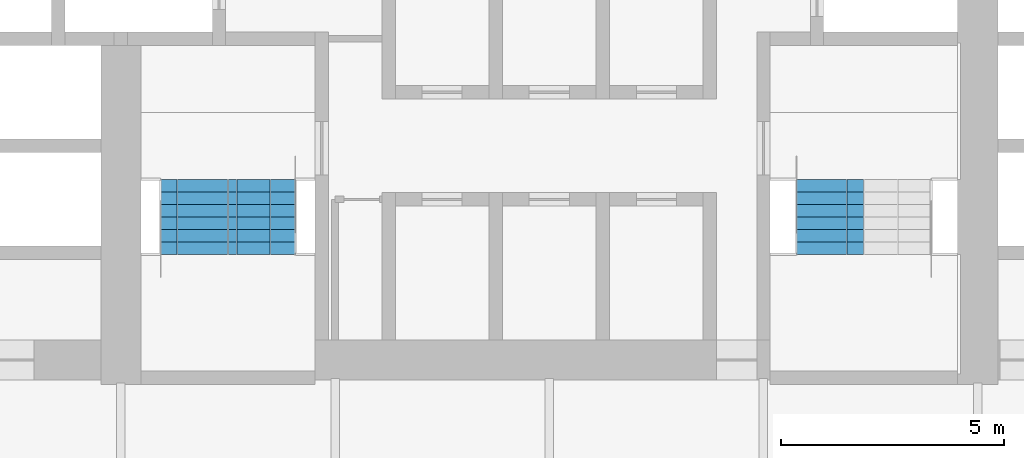
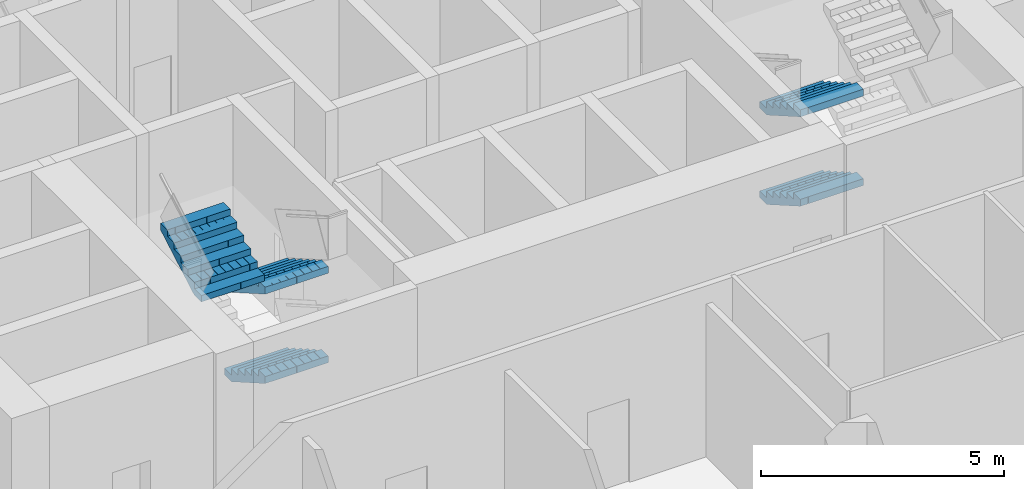
# One storey, part 18 of 22: 5 stair flights, 2 elements without a shape of their own.
"""IFC4 building model written with IfcOpenShell, lengths in metres."""

from ifc_helpers import new_model, si_unit, direction, frame, origin, place, context, subcontext, project, spatial, polyline, outline, extrude, material, type_object, element, aggregate, save


model = new_model("IFC4")

# Units and contexts
model_context = context("Model", 3, precision=1e-05, world=origin(), true_north=direction((0.0, 1.0)))
body_context = subcontext(model_context, "Body", "Model", "MODEL_VIEW")
ifc_project = project(units=[si_unit("LENGTHUNIT", "METRE"), si_unit("AREAUNIT", "SQUARE_METRE"), si_unit("VOLUMEUNIT", "CUBIC_METRE"), si_unit("PLANEANGLEUNIT", "RADIAN"), si_unit("MASSUNIT", "GRAM", prefix="KILO")], contexts=[model_context])

# Site, building, storey
site_placement = place(None, origin())
site = spatial("IfcSite", under=ifc_project, at=site_placement, CompositionType="ELEMENT")
building_placement = place(site_placement, origin())
building = spatial("IfcBuilding", under=site, at=building_placement, Name="Kolab Exchange Tower", CompositionType="ELEMENT")
storey_placement = place(building_placement, frame((0.0, 0.0, 82.39990234375)))
storey = spatial("IfcBuildingStorey", under=building, at=storey_placement, Name="L15", CompositionType="ELEMENT", Elevation=82.39990234375)

# Stair, stair flights
ifc_material = material(Name="Concrete C50/60", Category="concrete")
stair_type_1 = type_object("IfcStairType", Name="STAIR ST3 RISER 160.7", PredefinedType="DOUBLE_RETURN_STAIR", material=ifc_material)
stair_1_placement = place(storey_placement, origin())
stair_1 = element("IfcStair", 1, at=stair_1_placement, inside=storey, type_object=stair_type_1, Name="Stair 3", PredefinedType="DOUBLE_RETURN_STAIR")
stair_flight_type = type_object("IfcStairFlightType", Name="STAIR FLIGHT 1500 RISER 160.7", PredefinedType="STRAIGHT", material=ifc_material)
stair_flight_1_placement = place(storey_placement, frame((-6.43994140625, -5.550048828125, 0.0), z_axis=(0.0, 0.0, 1.0), x_axis=(0.0, -1.0, 0.0)))
stair_flight_1 = element("IfcStairFlight", 2, at=stair_flight_1_placement, type_object=stair_flight_type, Name="ST3 flight 1", NumberOfRisers=7, NumberOfTreads=6, PredefinedType="STRAIGHT", RiserHeight=0.160714286, TreadLength=0.28, context=body_context, shape_type="SweptSolid", body=[
    extrude(outline(polyline([(0.0, 0.0), (0.0, 0.16064453125), (0.280029296875, 0.16064453125), (0.280029296875, 0.321533203125), (0.56005859375, 0.321533203125), (0.56005859375, 0.482177734375), (0.840087890625, 0.482177734375), (0.840087890625, 0.642822265625), (1.1201171875, 0.642822265625), (1.1201171875, 0.803466796875), (1.39990234375, 0.803466796875), (1.39990234375, 0.96435546875), (1.679931640625, 0.96435546875), (1.679931640625, 1.125), (1.679931640625, 0.79150390625), (0.301025390625, 0.0), (0.0, 0.0)])), frame((0.0, 0.75, 0.0), z_axis=(0.0, -1.0, 0.0), x_axis=(1.0, 0.0, 0.0)), (0.0, 0.0, 1.0), 0.185791015625),
    extrude(outline(polyline([(0.0, 0.0), (0.0, 0.16064453125), (0.280029296875, 0.16064453125), (0.280029296875, 0.321533203125), (0.56005859375, 0.321533203125), (0.56005859375, 0.482177734375), (0.840087890625, 0.482177734375), (0.840087890625, 0.642822265625), (1.1201171875, 0.642822265625), (1.1201171875, 0.803466796875), (1.39990234375, 0.803466796875), (1.39990234375, 0.96435546875), (1.679931640625, 0.96435546875), (1.679931640625, 1.125), (1.679931640625, 0.79150390625), (0.301025390625, 0.0), (0.0, 0.0)])), frame((0.0, 0.562255859375, 0.0), z_axis=(0.0, -1.0, 0.0), x_axis=(1.0, 0.0, 0.0)), (0.0, 0.0, 1.0), 0.185791015625),
    extrude(outline(polyline([(0.0, 0.0), (0.0, 0.16064453125), (0.280029296875, 0.16064453125), (0.280029296875, 0.321533203125), (0.56005859375, 0.321533203125), (0.56005859375, 0.482177734375), (0.840087890625, 0.482177734375), (0.840087890625, 0.642822265625), (1.1201171875, 0.642822265625), (1.1201171875, 0.803466796875), (1.39990234375, 0.803466796875), (1.39990234375, 0.96435546875), (1.679931640625, 0.96435546875), (1.679931640625, 1.125), (1.679931640625, 0.79150390625), (0.301025390625, 0.0), (0.0, 0.0)])), frame((0.0, 0.37451171875, 0.0), z_axis=(0.0, -1.0, 0.0), x_axis=(1.0, 0.0, 0.0)), (0.0, 0.0, 1.0), 0.185791015625),
    extrude(outline(polyline([(0.0, 0.0), (0.0, 0.16064453125), (0.280029296875, 0.16064453125), (0.280029296875, 0.321533203125), (0.56005859375, 0.321533203125), (0.56005859375, 0.482177734375), (0.840087890625, 0.482177734375), (0.840087890625, 0.642822265625), (1.1201171875, 0.642822265625), (1.1201171875, 0.803466796875), (1.39990234375, 0.803466796875), (1.39990234375, 0.96435546875), (1.679931640625, 0.96435546875), (1.679931640625, 1.125), (1.679931640625, 0.79150390625), (0.301025390625, 0.0), (0.0, 0.0)])), frame((0.0, 0.186767578125, 0.0), z_axis=(0.0, -1.0, 0.0), x_axis=(1.0, 0.0, 0.0)), (0.0, 0.0, 1.0), 0.185791015625),
    extrude(outline(polyline([(0.0, 0.0), (0.0, 0.16064453125), (0.280029296875, 0.16064453125), (0.280029296875, 0.321533203125), (0.56005859375, 0.321533203125), (0.56005859375, 0.482177734375), (0.840087890625, 0.482177734375), (0.840087890625, 0.642822265625), (1.1201171875, 0.642822265625), (1.1201171875, 0.803466796875), (1.39990234375, 0.803466796875), (1.39990234375, 0.96435546875), (1.679931640625, 0.96435546875), (1.679931640625, 1.125), (1.679931640625, 0.79150390625), (0.301025390625, 0.0), (0.0, 0.0)])), frame((0.0, -0.0009765625, 0.0), z_axis=(0.0, -1.0, 0.0), x_axis=(1.0, 0.0, 0.0)), (0.0, 0.0, 1.0), 0.185791015625),
    extrude(outline(polyline([(0.0, 0.0), (0.0, 0.16064453125), (0.280029296875, 0.16064453125), (0.280029296875, 0.321533203125), (0.56005859375, 0.321533203125), (0.56005859375, 0.482177734375), (0.840087890625, 0.482177734375), (0.840087890625, 0.642822265625), (1.1201171875, 0.642822265625), (1.1201171875, 0.803466796875), (1.39990234375, 0.803466796875), (1.39990234375, 0.96435546875), (1.679931640625, 0.96435546875), (1.679931640625, 1.125), (1.679931640625, 0.79150390625), (0.301025390625, 0.0), (0.0, 0.0)])), frame((0.0, -0.188720703125, 0.0), z_axis=(0.0, -1.0, 0.0), x_axis=(1.0, 0.0, 0.0)), (0.0, 0.0, 1.0), 0.185791015625),
    extrude(outline(polyline([(0.0, 0.0), (0.0, 0.16064453125), (0.280029296875, 0.16064453125), (0.280029296875, 0.321533203125), (0.56005859375, 0.321533203125), (0.56005859375, 0.482177734375), (0.840087890625, 0.482177734375), (0.840087890625, 0.642822265625), (1.1201171875, 0.642822265625), (1.1201171875, 0.803466796875), (1.39990234375, 0.803466796875), (1.39990234375, 0.96435546875), (1.679931640625, 0.96435546875), (1.679931640625, 1.125), (1.679931640625, 0.79150390625), (0.301025390625, 0.0), (0.0, 0.0)])), frame((0.0, -0.37646484375, 0.0), z_axis=(0.0, -1.0, 0.0), x_axis=(1.0, 0.0, 0.0)), (0.0, 0.0, 1.0), 0.185791015625),
    extrude(outline(polyline([(0.0, 0.0), (0.0, 0.16064453125), (0.280029296875, 0.16064453125), (0.280029296875, 0.321533203125), (0.56005859375, 0.321533203125), (0.56005859375, 0.482177734375), (0.840087890625, 0.482177734375), (0.840087890625, 0.642822265625), (1.1201171875, 0.642822265625), (1.1201171875, 0.803466796875), (1.39990234375, 0.803466796875), (1.39990234375, 0.96435546875), (1.679931640625, 0.96435546875), (1.679931640625, 1.125), (1.679931640625, 0.79150390625), (0.301025390625, 0.0), (0.0, 0.0)])), frame((0.0, -0.564208984375, 0.0), z_axis=(0.0, -1.0, 0.0), x_axis=(1.0, 0.0, 0.0)), (0.0, 0.0, 1.0), 0.185791015625),
])
stair_flight_2_placement = place(storey_placement, frame((-6.43994140625, -5.550048828125, 2.25), z_axis=(0.0, 0.0, 1.0), x_axis=(0.0, -1.0, 0.0)))
stair_flight_2 = element("IfcStairFlight", 3, at=stair_flight_2_placement, type_object=stair_flight_type, Name="ST3 flight 3", NumberOfRisers=7, NumberOfTreads=6, PredefinedType="STRAIGHT", RiserHeight=0.160714286, TreadLength=0.28, context=body_context, shape_type="SweptSolid", body=[
    extrude(outline(polyline([(0.0, 0.0), (0.0, 0.16064453125), (0.280029296875, 0.16064453125), (0.280029296875, 0.321533203125), (0.56005859375, 0.321533203125), (0.56005859375, 0.482177734375), (0.840087890625, 0.482177734375), (0.840087890625, 0.642822265625), (1.1201171875, 0.642822265625), (1.1201171875, 0.803466796875), (1.39990234375, 0.803466796875), (1.39990234375, 0.96435546875), (1.679931640625, 0.96435546875), (1.679931640625, 1.125), (1.679931640625, 0.79150390625), (0.301025390625, 0.0), (0.0, 0.0)])), frame((0.0, 0.75, 0.0), z_axis=(0.0, -1.0, 0.0), x_axis=(1.0, 0.0, 0.0)), (0.0, 0.0, 1.0), 0.185791015625),
    extrude(outline(polyline([(0.0, 0.0), (0.0, 0.16064453125), (0.280029296875, 0.16064453125), (0.280029296875, 0.321533203125), (0.56005859375, 0.321533203125), (0.56005859375, 0.482177734375), (0.840087890625, 0.482177734375), (0.840087890625, 0.642822265625), (1.1201171875, 0.642822265625), (1.1201171875, 0.803466796875), (1.39990234375, 0.803466796875), (1.39990234375, 0.96435546875), (1.679931640625, 0.96435546875), (1.679931640625, 1.125), (1.679931640625, 0.79150390625), (0.301025390625, 0.0), (0.0, 0.0)])), frame((0.0, 0.562255859375, 0.0), z_axis=(0.0, -1.0, 0.0), x_axis=(1.0, 0.0, 0.0)), (0.0, 0.0, 1.0), 0.185791015625),
    extrude(outline(polyline([(0.0, 0.0), (0.0, 0.16064453125), (0.280029296875, 0.16064453125), (0.280029296875, 0.321533203125), (0.56005859375, 0.321533203125), (0.56005859375, 0.482177734375), (0.840087890625, 0.482177734375), (0.840087890625, 0.642822265625), (1.1201171875, 0.642822265625), (1.1201171875, 0.803466796875), (1.39990234375, 0.803466796875), (1.39990234375, 0.96435546875), (1.679931640625, 0.96435546875), (1.679931640625, 1.125), (1.679931640625, 0.79150390625), (0.301025390625, 0.0), (0.0, 0.0)])), frame((0.0, 0.37451171875, 0.0), z_axis=(0.0, -1.0, 0.0), x_axis=(1.0, 0.0, 0.0)), (0.0, 0.0, 1.0), 0.185791015625),
    extrude(outline(polyline([(0.0, 0.0), (0.0, 0.16064453125), (0.280029296875, 0.16064453125), (0.280029296875, 0.321533203125), (0.56005859375, 0.321533203125), (0.56005859375, 0.482177734375), (0.840087890625, 0.482177734375), (0.840087890625, 0.642822265625), (1.1201171875, 0.642822265625), (1.1201171875, 0.803466796875), (1.39990234375, 0.803466796875), (1.39990234375, 0.96435546875), (1.679931640625, 0.96435546875), (1.679931640625, 1.125), (1.679931640625, 0.79150390625), (0.301025390625, 0.0), (0.0, 0.0)])), frame((0.0, 0.186767578125, 0.0), z_axis=(0.0, -1.0, 0.0), x_axis=(1.0, 0.0, 0.0)), (0.0, 0.0, 1.0), 0.185791015625),
    extrude(outline(polyline([(0.0, 0.0), (0.0, 0.16064453125), (0.280029296875, 0.16064453125), (0.280029296875, 0.321533203125), (0.56005859375, 0.321533203125), (0.56005859375, 0.482177734375), (0.840087890625, 0.482177734375), (0.840087890625, 0.642822265625), (1.1201171875, 0.642822265625), (1.1201171875, 0.803466796875), (1.39990234375, 0.803466796875), (1.39990234375, 0.96435546875), (1.679931640625, 0.96435546875), (1.679931640625, 1.125), (1.679931640625, 0.79150390625), (0.301025390625, 0.0), (0.0, 0.0)])), frame((0.0, -0.0009765625, 0.0), z_axis=(0.0, -1.0, 0.0), x_axis=(1.0, 0.0, 0.0)), (0.0, 0.0, 1.0), 0.185791015625),
    extrude(outline(polyline([(0.0, 0.0), (0.0, 0.16064453125), (0.280029296875, 0.16064453125), (0.280029296875, 0.321533203125), (0.56005859375, 0.321533203125), (0.56005859375, 0.482177734375), (0.840087890625, 0.482177734375), (0.840087890625, 0.642822265625), (1.1201171875, 0.642822265625), (1.1201171875, 0.803466796875), (1.39990234375, 0.803466796875), (1.39990234375, 0.96435546875), (1.679931640625, 0.96435546875), (1.679931640625, 1.125), (1.679931640625, 0.79150390625), (0.301025390625, 0.0), (0.0, 0.0)])), frame((0.0, -0.188720703125, 0.0), z_axis=(0.0, -1.0, 0.0), x_axis=(1.0, 0.0, 0.0)), (0.0, 0.0, 1.0), 0.185791015625),
    extrude(outline(polyline([(0.0, 0.0), (0.0, 0.16064453125), (0.280029296875, 0.16064453125), (0.280029296875, 0.321533203125), (0.56005859375, 0.321533203125), (0.56005859375, 0.482177734375), (0.840087890625, 0.482177734375), (0.840087890625, 0.642822265625), (1.1201171875, 0.642822265625), (1.1201171875, 0.803466796875), (1.39990234375, 0.803466796875), (1.39990234375, 0.96435546875), (1.679931640625, 0.96435546875), (1.679931640625, 1.125), (1.679931640625, 0.79150390625), (0.301025390625, 0.0), (0.0, 0.0)])), frame((0.0, -0.37646484375, 0.0), z_axis=(0.0, -1.0, 0.0), x_axis=(1.0, 0.0, 0.0)), (0.0, 0.0, 1.0), 0.185791015625),
    extrude(outline(polyline([(0.0, 0.0), (0.0, 0.16064453125), (0.280029296875, 0.16064453125), (0.280029296875, 0.321533203125), (0.56005859375, 0.321533203125), (0.56005859375, 0.482177734375), (0.840087890625, 0.482177734375), (0.840087890625, 0.642822265625), (1.1201171875, 0.642822265625), (1.1201171875, 0.803466796875), (1.39990234375, 0.803466796875), (1.39990234375, 0.96435546875), (1.679931640625, 0.96435546875), (1.679931640625, 1.125), (1.679931640625, 0.79150390625), (0.301025390625, 0.0), (0.0, 0.0)])), frame((0.0, -0.564208984375, 0.0), z_axis=(0.0, -1.0, 0.0), x_axis=(1.0, 0.0, 0.0)), (0.0, 0.0, 1.0), 0.185791015625),
])
stair_flight_3_placement = place(storey_placement, frame((-7.9599609375, -7.22998046875, 3.375), z_axis=(0.0, 0.0, 1.0), x_axis=(0.0, 1.0, 0.0)))
stair_flight_3 = element("IfcStairFlight", 4, at=stair_flight_3_placement, type_object=stair_flight_type, Name="ST3 flight 4", NumberOfRisers=7, NumberOfTreads=6, PredefinedType="STRAIGHT", RiserHeight=0.160714286, TreadLength=0.28, context=body_context, shape_type="SweptSolid", body=[
    extrude(outline(polyline([(0.0, 0.0), (0.0, 0.16064453125), (0.280029296875, 0.16064453125), (0.280029296875, 0.321533203125), (0.56005859375, 0.321533203125), (0.56005859375, 0.482177734375), (0.840087890625, 0.482177734375), (0.840087890625, 0.642822265625), (1.1201171875, 0.642822265625), (1.1201171875, 0.803466796875), (1.39990234375, 0.803466796875), (1.39990234375, 0.96435546875), (1.679931640625, 0.96435546875), (1.679931640625, 1.125), (1.679931640625, 0.79150390625), (0.301025390625, 0.0), (0.0, 0.0)])), frame((0.0, 0.75, 0.0), z_axis=(0.0, -1.0, 0.0), x_axis=(1.0, 0.0, 0.0)), (0.0, 0.0, 1.0), 0.185791015625),
    extrude(outline(polyline([(0.0, 0.0), (0.0, 0.16064453125), (0.280029296875, 0.16064453125), (0.280029296875, 0.321533203125), (0.56005859375, 0.321533203125), (0.56005859375, 0.482177734375), (0.840087890625, 0.482177734375), (0.840087890625, 0.642822265625), (1.1201171875, 0.642822265625), (1.1201171875, 0.803466796875), (1.39990234375, 0.803466796875), (1.39990234375, 0.96435546875), (1.679931640625, 0.96435546875), (1.679931640625, 1.125), (1.679931640625, 0.79150390625), (0.301025390625, 0.0), (0.0, 0.0)])), frame((0.0, 0.562255859375, 0.0), z_axis=(0.0, -1.0, 0.0), x_axis=(1.0, 0.0, 0.0)), (0.0, 0.0, 1.0), 0.185791015625),
    extrude(outline(polyline([(0.0, 0.0), (0.0, 0.16064453125), (0.280029296875, 0.16064453125), (0.280029296875, 0.321533203125), (0.56005859375, 0.321533203125), (0.56005859375, 0.482177734375), (0.840087890625, 0.482177734375), (0.840087890625, 0.642822265625), (1.1201171875, 0.642822265625), (1.1201171875, 0.803466796875), (1.39990234375, 0.803466796875), (1.39990234375, 0.96435546875), (1.679931640625, 0.96435546875), (1.679931640625, 1.125), (1.679931640625, 0.79150390625), (0.301025390625, 0.0), (0.0, 0.0)])), frame((0.0, 0.37451171875, 0.0), z_axis=(0.0, -1.0, 0.0), x_axis=(1.0, 0.0, 0.0)), (0.0, 0.0, 1.0), 0.185791015625),
    extrude(outline(polyline([(0.0, 0.0), (0.0, 0.16064453125), (0.280029296875, 0.16064453125), (0.280029296875, 0.321533203125), (0.56005859375, 0.321533203125), (0.56005859375, 0.482177734375), (0.840087890625, 0.482177734375), (0.840087890625, 0.642822265625), (1.1201171875, 0.642822265625), (1.1201171875, 0.803466796875), (1.39990234375, 0.803466796875), (1.39990234375, 0.96435546875), (1.679931640625, 0.96435546875), (1.679931640625, 1.125), (1.679931640625, 0.79150390625), (0.301025390625, 0.0), (0.0, 0.0)])), frame((0.0, 0.186767578125, 0.0), z_axis=(0.0, -1.0, 0.0), x_axis=(1.0, 0.0, 0.0)), (0.0, 0.0, 1.0), 0.185791015625),
    extrude(outline(polyline([(0.0, 0.0), (0.0, 0.16064453125), (0.280029296875, 0.16064453125), (0.280029296875, 0.321533203125), (0.56005859375, 0.321533203125), (0.56005859375, 0.482177734375), (0.840087890625, 0.482177734375), (0.840087890625, 0.642822265625), (1.1201171875, 0.642822265625), (1.1201171875, 0.803466796875), (1.39990234375, 0.803466796875), (1.39990234375, 0.96435546875), (1.679931640625, 0.96435546875), (1.679931640625, 1.125), (1.679931640625, 0.79150390625), (0.301025390625, 0.0), (0.0, 0.0)])), frame((0.0, -0.0009765625, 0.0), z_axis=(0.0, -1.0, 0.0), x_axis=(1.0, 0.0, 0.0)), (0.0, 0.0, 1.0), 0.185791015625),
    extrude(outline(polyline([(0.0, 0.0), (0.0, 0.16064453125), (0.280029296875, 0.16064453125), (0.280029296875, 0.321533203125), (0.56005859375, 0.321533203125), (0.56005859375, 0.482177734375), (0.840087890625, 0.482177734375), (0.840087890625, 0.642822265625), (1.1201171875, 0.642822265625), (1.1201171875, 0.803466796875), (1.39990234375, 0.803466796875), (1.39990234375, 0.96435546875), (1.679931640625, 0.96435546875), (1.679931640625, 1.125), (1.679931640625, 0.79150390625), (0.301025390625, 0.0), (0.0, 0.0)])), frame((0.0, -0.188720703125, 0.0), z_axis=(0.0, -1.0, 0.0), x_axis=(1.0, 0.0, 0.0)), (0.0, 0.0, 1.0), 0.185791015625),
    extrude(outline(polyline([(0.0, 0.0), (0.0, 0.16064453125), (0.280029296875, 0.16064453125), (0.280029296875, 0.321533203125), (0.56005859375, 0.321533203125), (0.56005859375, 0.482177734375), (0.840087890625, 0.482177734375), (0.840087890625, 0.642822265625), (1.1201171875, 0.642822265625), (1.1201171875, 0.803466796875), (1.39990234375, 0.803466796875), (1.39990234375, 0.96435546875), (1.679931640625, 0.96435546875), (1.679931640625, 1.125), (1.679931640625, 0.79150390625), (0.301025390625, 0.0), (0.0, 0.0)])), frame((0.0, -0.37646484375, 0.0), z_axis=(0.0, -1.0, 0.0), x_axis=(1.0, 0.0, 0.0)), (0.0, 0.0, 1.0), 0.185791015625),
    extrude(outline(polyline([(0.0, 0.0), (0.0, 0.16064453125), (0.280029296875, 0.16064453125), (0.280029296875, 0.321533203125), (0.56005859375, 0.321533203125), (0.56005859375, 0.482177734375), (0.840087890625, 0.482177734375), (0.840087890625, 0.642822265625), (1.1201171875, 0.642822265625), (1.1201171875, 0.803466796875), (1.39990234375, 0.803466796875), (1.39990234375, 0.96435546875), (1.679931640625, 0.96435546875), (1.679931640625, 1.125), (1.679931640625, 0.79150390625), (0.301025390625, 0.0), (0.0, 0.0)])), frame((0.0, -0.564208984375, 0.0), z_axis=(0.0, -1.0, 0.0), x_axis=(1.0, 0.0, 0.0)), (0.0, 0.0, 1.0), 0.185791015625),
])
aggregate(stair_1, [stair_flight_1, stair_flight_2, stair_flight_3])

stair_type_2 = type_object("IfcStairType", Name="STAIR ST2 RISER 160.7", PredefinedType="DOUBLE_RETURN_STAIR", material=ifc_material)
stair_2_placement = place(storey_placement, origin())
stair_2 = element("IfcStair", 5, at=stair_2_placement, inside=storey, type_object=stair_type_2, Name="Stair 2", PredefinedType="DOUBLE_RETURN_STAIR")
stair_flight_4_placement = place(storey_placement, frame((6.2900390625, -5.550048828125, 0.0), z_axis=(0.0, 0.0, 1.0), x_axis=(0.0, -1.0, 0.0)))
stair_flight_4 = element("IfcStairFlight", 6, at=stair_flight_4_placement, type_object=stair_flight_type, Name="ST2 flight 1", NumberOfRisers=7, NumberOfTreads=6, PredefinedType="STRAIGHT", RiserHeight=0.160714286, TreadLength=0.28, context=body_context, shape_type="SweptSolid", body=[
    extrude(outline(polyline([(0.0, 0.0), (0.0, 0.16064453125), (0.280029296875, 0.16064453125), (0.280029296875, 0.321533203125), (0.56005859375, 0.321533203125), (0.56005859375, 0.482177734375), (0.840087890625, 0.482177734375), (0.840087890625, 0.642822265625), (1.1201171875, 0.642822265625), (1.1201171875, 0.803466796875), (1.39990234375, 0.803466796875), (1.39990234375, 0.96435546875), (1.679931640625, 0.96435546875), (1.679931640625, 1.125), (1.679931640625, 0.79150390625), (0.301025390625, 0.0), (0.0, 0.0)])), frame((0.0, 0.75, 0.0), z_axis=(0.0, -1.0, 0.0), x_axis=(1.0, 0.0, 0.0)), (0.0, 0.0, 1.0), 0.185791015625),
    extrude(outline(polyline([(0.0, 0.0), (0.0, 0.16064453125), (0.280029296875, 0.16064453125), (0.280029296875, 0.321533203125), (0.56005859375, 0.321533203125), (0.56005859375, 0.482177734375), (0.840087890625, 0.482177734375), (0.840087890625, 0.642822265625), (1.1201171875, 0.642822265625), (1.1201171875, 0.803466796875), (1.39990234375, 0.803466796875), (1.39990234375, 0.96435546875), (1.679931640625, 0.96435546875), (1.679931640625, 1.125), (1.679931640625, 0.79150390625), (0.301025390625, 0.0), (0.0, 0.0)])), frame((0.0, 0.562255859375, 0.0), z_axis=(0.0, -1.0, 0.0), x_axis=(1.0, 0.0, 0.0)), (0.0, 0.0, 1.0), 0.185791015625),
    extrude(outline(polyline([(0.0, 0.0), (0.0, 0.16064453125), (0.280029296875, 0.16064453125), (0.280029296875, 0.321533203125), (0.56005859375, 0.321533203125), (0.56005859375, 0.482177734375), (0.840087890625, 0.482177734375), (0.840087890625, 0.642822265625), (1.1201171875, 0.642822265625), (1.1201171875, 0.803466796875), (1.39990234375, 0.803466796875), (1.39990234375, 0.96435546875), (1.679931640625, 0.96435546875), (1.679931640625, 1.125), (1.679931640625, 0.79150390625), (0.301025390625, 0.0), (0.0, 0.0)])), frame((0.0, 0.37451171875, 0.0), z_axis=(0.0, -1.0, 0.0), x_axis=(1.0, 0.0, 0.0)), (0.0, 0.0, 1.0), 0.185791015625),
    extrude(outline(polyline([(0.0, 0.0), (0.0, 0.16064453125), (0.280029296875, 0.16064453125), (0.280029296875, 0.321533203125), (0.56005859375, 0.321533203125), (0.56005859375, 0.482177734375), (0.840087890625, 0.482177734375), (0.840087890625, 0.642822265625), (1.1201171875, 0.642822265625), (1.1201171875, 0.803466796875), (1.39990234375, 0.803466796875), (1.39990234375, 0.96435546875), (1.679931640625, 0.96435546875), (1.679931640625, 1.125), (1.679931640625, 0.79150390625), (0.301025390625, 0.0), (0.0, 0.0)])), frame((0.0, 0.186767578125, 0.0), z_axis=(0.0, -1.0, 0.0), x_axis=(1.0, 0.0, 0.0)), (0.0, 0.0, 1.0), 0.185791015625),
    extrude(outline(polyline([(0.0, 0.0), (0.0, 0.16064453125), (0.280029296875, 0.16064453125), (0.280029296875, 0.321533203125), (0.56005859375, 0.321533203125), (0.56005859375, 0.482177734375), (0.840087890625, 0.482177734375), (0.840087890625, 0.642822265625), (1.1201171875, 0.642822265625), (1.1201171875, 0.803466796875), (1.39990234375, 0.803466796875), (1.39990234375, 0.96435546875), (1.679931640625, 0.96435546875), (1.679931640625, 1.125), (1.679931640625, 0.79150390625), (0.301025390625, 0.0), (0.0, 0.0)])), frame((0.0, -0.0009765625, 0.0), z_axis=(0.0, -1.0, 0.0), x_axis=(1.0, 0.0, 0.0)), (0.0, 0.0, 1.0), 0.185791015625),
    extrude(outline(polyline([(0.0, 0.0), (0.0, 0.16064453125), (0.280029296875, 0.16064453125), (0.280029296875, 0.321533203125), (0.56005859375, 0.321533203125), (0.56005859375, 0.482177734375), (0.840087890625, 0.482177734375), (0.840087890625, 0.642822265625), (1.1201171875, 0.642822265625), (1.1201171875, 0.803466796875), (1.39990234375, 0.803466796875), (1.39990234375, 0.96435546875), (1.679931640625, 0.96435546875), (1.679931640625, 1.125), (1.679931640625, 0.79150390625), (0.301025390625, 0.0), (0.0, 0.0)])), frame((0.0, -0.188720703125, 0.0), z_axis=(0.0, -1.0, 0.0), x_axis=(1.0, 0.0, 0.0)), (0.0, 0.0, 1.0), 0.185791015625),
    extrude(outline(polyline([(0.0, 0.0), (0.0, 0.16064453125), (0.280029296875, 0.16064453125), (0.280029296875, 0.321533203125), (0.56005859375, 0.321533203125), (0.56005859375, 0.482177734375), (0.840087890625, 0.482177734375), (0.840087890625, 0.642822265625), (1.1201171875, 0.642822265625), (1.1201171875, 0.803466796875), (1.39990234375, 0.803466796875), (1.39990234375, 0.96435546875), (1.679931640625, 0.96435546875), (1.679931640625, 1.125), (1.679931640625, 0.79150390625), (0.301025390625, 0.0), (0.0, 0.0)])), frame((0.0, -0.37646484375, 0.0), z_axis=(0.0, -1.0, 0.0), x_axis=(1.0, 0.0, 0.0)), (0.0, 0.0, 1.0), 0.185791015625),
    extrude(outline(polyline([(0.0, 0.0), (0.0, 0.16064453125), (0.280029296875, 0.16064453125), (0.280029296875, 0.321533203125), (0.56005859375, 0.321533203125), (0.56005859375, 0.482177734375), (0.840087890625, 0.482177734375), (0.840087890625, 0.642822265625), (1.1201171875, 0.642822265625), (1.1201171875, 0.803466796875), (1.39990234375, 0.803466796875), (1.39990234375, 0.96435546875), (1.679931640625, 0.96435546875), (1.679931640625, 1.125), (1.679931640625, 0.79150390625), (0.301025390625, 0.0), (0.0, 0.0)])), frame((0.0, -0.564208984375, 0.0), z_axis=(0.0, -1.0, 0.0), x_axis=(1.0, 0.0, 0.0)), (0.0, 0.0, 1.0), 0.185791015625),
])
stair_flight_5_placement = place(storey_placement, frame((6.2900390625, -5.550048828125, 2.25), z_axis=(0.0, 0.0, 1.0), x_axis=(0.0, -1.0, 0.0)))
stair_flight_5 = element("IfcStairFlight", 7, at=stair_flight_5_placement, type_object=stair_flight_type, Name="ST2 flight 3", NumberOfRisers=7, NumberOfTreads=6, PredefinedType="STRAIGHT", RiserHeight=0.160714286, TreadLength=0.28, context=body_context, shape_type="SweptSolid", body=[
    extrude(outline(polyline([(0.0, 0.0), (0.0, 0.16064453125), (0.280029296875, 0.16064453125), (0.280029296875, 0.321533203125), (0.56005859375, 0.321533203125), (0.56005859375, 0.482177734375), (0.840087890625, 0.482177734375), (0.840087890625, 0.642822265625), (1.1201171875, 0.642822265625), (1.1201171875, 0.803466796875), (1.39990234375, 0.803466796875), (1.39990234375, 0.96435546875), (1.679931640625, 0.96435546875), (1.679931640625, 1.125), (1.679931640625, 0.79150390625), (0.301025390625, 0.0), (0.0, 0.0)])), frame((0.0, 0.75, 0.0), z_axis=(0.0, -1.0, 0.0), x_axis=(1.0, 0.0, 0.0)), (0.0, 0.0, 1.0), 0.185791015625),
    extrude(outline(polyline([(0.0, 0.0), (0.0, 0.16064453125), (0.280029296875, 0.16064453125), (0.280029296875, 0.321533203125), (0.56005859375, 0.321533203125), (0.56005859375, 0.482177734375), (0.840087890625, 0.482177734375), (0.840087890625, 0.642822265625), (1.1201171875, 0.642822265625), (1.1201171875, 0.803466796875), (1.39990234375, 0.803466796875), (1.39990234375, 0.96435546875), (1.679931640625, 0.96435546875), (1.679931640625, 1.125), (1.679931640625, 0.79150390625), (0.301025390625, 0.0), (0.0, 0.0)])), frame((0.0, 0.562255859375, 0.0), z_axis=(0.0, -1.0, 0.0), x_axis=(1.0, 0.0, 0.0)), (0.0, 0.0, 1.0), 0.185791015625),
    extrude(outline(polyline([(0.0, 0.0), (0.0, 0.16064453125), (0.280029296875, 0.16064453125), (0.280029296875, 0.321533203125), (0.56005859375, 0.321533203125), (0.56005859375, 0.482177734375), (0.840087890625, 0.482177734375), (0.840087890625, 0.642822265625), (1.1201171875, 0.642822265625), (1.1201171875, 0.803466796875), (1.39990234375, 0.803466796875), (1.39990234375, 0.96435546875), (1.679931640625, 0.96435546875), (1.679931640625, 1.125), (1.679931640625, 0.79150390625), (0.301025390625, 0.0), (0.0, 0.0)])), frame((0.0, 0.37451171875, 0.0), z_axis=(0.0, -1.0, 0.0), x_axis=(1.0, 0.0, 0.0)), (0.0, 0.0, 1.0), 0.185791015625),
    extrude(outline(polyline([(0.0, 0.0), (0.0, 0.16064453125), (0.280029296875, 0.16064453125), (0.280029296875, 0.321533203125), (0.56005859375, 0.321533203125), (0.56005859375, 0.482177734375), (0.840087890625, 0.482177734375), (0.840087890625, 0.642822265625), (1.1201171875, 0.642822265625), (1.1201171875, 0.803466796875), (1.39990234375, 0.803466796875), (1.39990234375, 0.96435546875), (1.679931640625, 0.96435546875), (1.679931640625, 1.125), (1.679931640625, 0.79150390625), (0.301025390625, 0.0), (0.0, 0.0)])), frame((0.0, 0.186767578125, 0.0), z_axis=(0.0, -1.0, 0.0), x_axis=(1.0, 0.0, 0.0)), (0.0, 0.0, 1.0), 0.185791015625),
    extrude(outline(polyline([(0.0, 0.0), (0.0, 0.16064453125), (0.280029296875, 0.16064453125), (0.280029296875, 0.321533203125), (0.56005859375, 0.321533203125), (0.56005859375, 0.482177734375), (0.840087890625, 0.482177734375), (0.840087890625, 0.642822265625), (1.1201171875, 0.642822265625), (1.1201171875, 0.803466796875), (1.39990234375, 0.803466796875), (1.39990234375, 0.96435546875), (1.679931640625, 0.96435546875), (1.679931640625, 1.125), (1.679931640625, 0.79150390625), (0.301025390625, 0.0), (0.0, 0.0)])), frame((0.0, -0.0009765625, 0.0), z_axis=(0.0, -1.0, 0.0), x_axis=(1.0, 0.0, 0.0)), (0.0, 0.0, 1.0), 0.185791015625),
    extrude(outline(polyline([(0.0, 0.0), (0.0, 0.16064453125), (0.280029296875, 0.16064453125), (0.280029296875, 0.321533203125), (0.56005859375, 0.321533203125), (0.56005859375, 0.482177734375), (0.840087890625, 0.482177734375), (0.840087890625, 0.642822265625), (1.1201171875, 0.642822265625), (1.1201171875, 0.803466796875), (1.39990234375, 0.803466796875), (1.39990234375, 0.96435546875), (1.679931640625, 0.96435546875), (1.679931640625, 1.125), (1.679931640625, 0.79150390625), (0.301025390625, 0.0), (0.0, 0.0)])), frame((0.0, -0.188720703125, 0.0), z_axis=(0.0, -1.0, 0.0), x_axis=(1.0, 0.0, 0.0)), (0.0, 0.0, 1.0), 0.185791015625),
    extrude(outline(polyline([(0.0, 0.0), (0.0, 0.16064453125), (0.280029296875, 0.16064453125), (0.280029296875, 0.321533203125), (0.56005859375, 0.321533203125), (0.56005859375, 0.482177734375), (0.840087890625, 0.482177734375), (0.840087890625, 0.642822265625), (1.1201171875, 0.642822265625), (1.1201171875, 0.803466796875), (1.39990234375, 0.803466796875), (1.39990234375, 0.96435546875), (1.679931640625, 0.96435546875), (1.679931640625, 1.125), (1.679931640625, 0.79150390625), (0.301025390625, 0.0), (0.0, 0.0)])), frame((0.0, -0.37646484375, 0.0), z_axis=(0.0, -1.0, 0.0), x_axis=(1.0, 0.0, 0.0)), (0.0, 0.0, 1.0), 0.185791015625),
    extrude(outline(polyline([(0.0, 0.0), (0.0, 0.16064453125), (0.280029296875, 0.16064453125), (0.280029296875, 0.321533203125), (0.56005859375, 0.321533203125), (0.56005859375, 0.482177734375), (0.840087890625, 0.482177734375), (0.840087890625, 0.642822265625), (1.1201171875, 0.642822265625), (1.1201171875, 0.803466796875), (1.39990234375, 0.803466796875), (1.39990234375, 0.96435546875), (1.679931640625, 0.96435546875), (1.679931640625, 1.125), (1.679931640625, 0.79150390625), (0.301025390625, 0.0), (0.0, 0.0)])), frame((0.0, -0.564208984375, 0.0), z_axis=(0.0, -1.0, 0.0), x_axis=(1.0, 0.0, 0.0)), (0.0, 0.0, 1.0), 0.185791015625),
])
aggregate(stair_2, [stair_flight_4, stair_flight_5])

save(model, "model.ifc")
